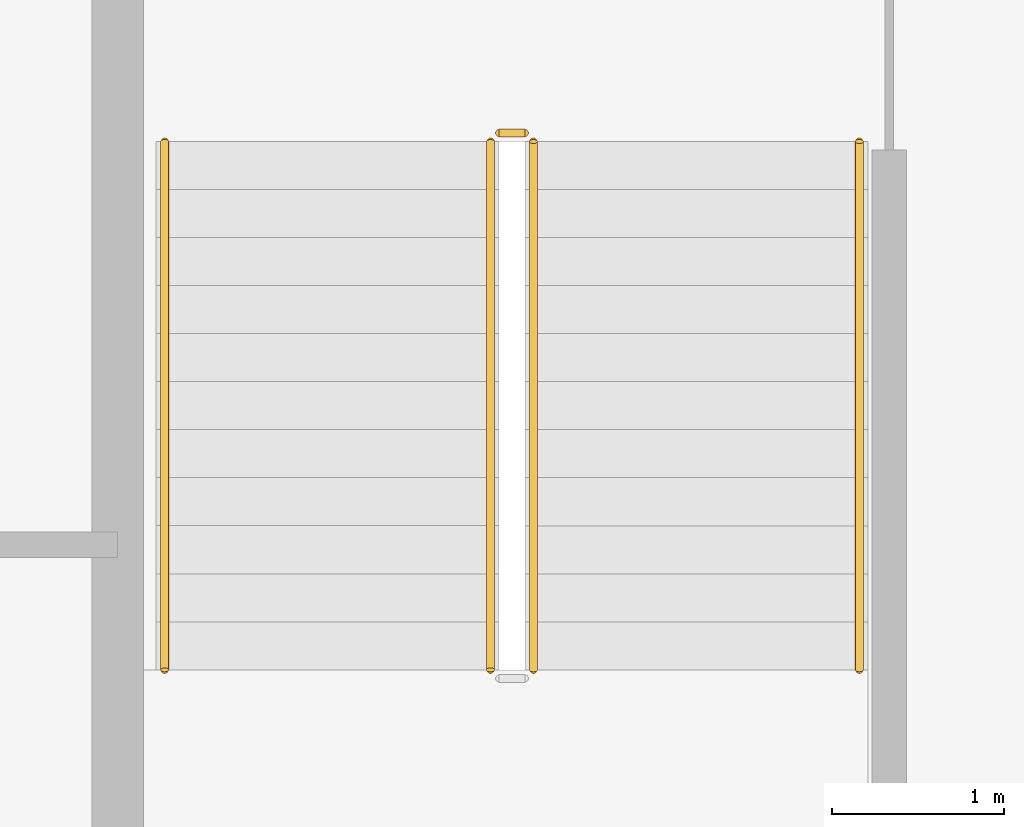
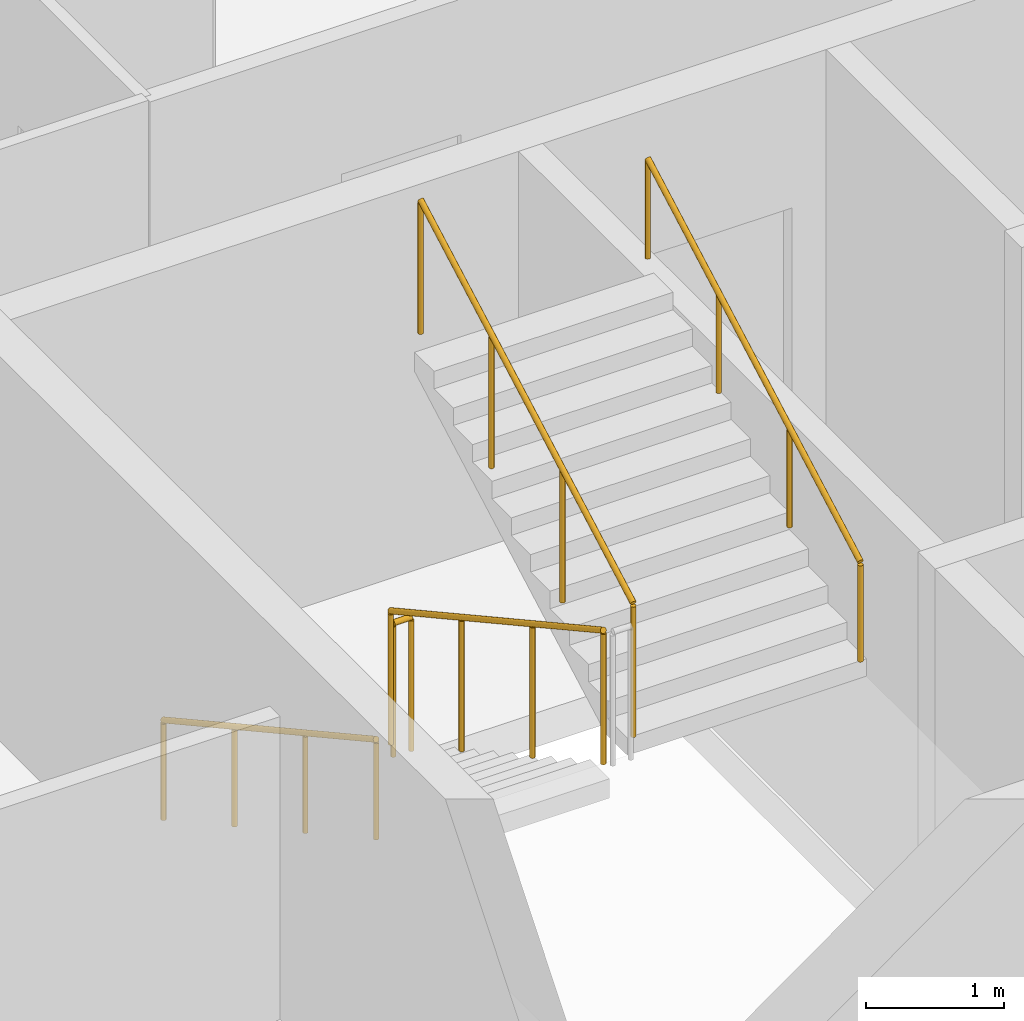
# One storey, part 11 of 15: 5 railings.
"""IFC4 building model written with IfcOpenShell, lengths in metres."""

from ifc_helpers import new_model, si_unit, direction, frame, origin, origin_2d, place, context, subcontext, project, spatial, circle, extrude, material, type_object, element, save


model = new_model("IFC4")

# Units and contexts
model_context = context("Model", 3, precision=1e-05, world=origin(), true_north=direction((0.0, 1.0)))
body_context = subcontext(model_context, "Body", "Model", "MODEL_VIEW")
ifc_project = project(units=[si_unit("LENGTHUNIT", "METRE"), si_unit("AREAUNIT", "SQUARE_METRE"), si_unit("VOLUMEUNIT", "CUBIC_METRE"), si_unit("PLANEANGLEUNIT", "RADIAN"), si_unit("MASSUNIT", "GRAM", prefix="KILO")], contexts=[model_context])

# Site, building, storey
site_placement = place(None, origin())
site = spatial("IfcSite", under=ifc_project, at=site_placement, CompositionType="ELEMENT")
building_placement = place(site_placement, origin())
building = spatial("IfcBuilding", under=site, at=building_placement, Name="Caravel Reach Hotel and Residences", CompositionType="ELEMENT")
storey_placement = place(building_placement, frame((0.0, 0.0, 252.699951171875)))
storey = spatial("IfcBuildingStorey", under=building, at=storey_placement, Name="L64", CompositionType="ELEMENT", Elevation=252.699951171875)

# Railings
ifc_material_1 = material(Name="Steel balustrade with glass infill", Category="steel")
railing_type_1 = type_object("IfcRailingType", Name="Guard 1200", PredefinedType="GUARDRAIL", material=ifc_material_1)
railing_1_placement = place(storey_placement, frame((20.175048828125, 29.35009765625, 0.154296875)))
element("IfcRailing", 1, at=railing_1_placement, inside=storey, type_object=railing_type_1, Name="L64 ST-A stair guard 1", PredefinedType="GUARDRAIL", context=body_context, shape_type="SweptSolid", body=[
    extrude(circle(Radius=0.02392578125, at=origin_2d()), frame((0.0, 0.0, 1.17578125), z_axis=(0.0, -0.876004717809, 0.482302534076), x_axis=(1.0, 0.0, 0.0)), (0.0, 0.0, 1.0), 3.51611328125),
    extrude(circle(Radius=0.02099609375, at=origin_2d()), origin(), (0.0, 0.0, 1.0), 1.15185546875),
    extrude(circle(Radius=0.02099609375, at=origin_2d()), frame((0.0, -1.026611328125, 0.565185546875)), (0.0, 0.0, 1.0), 1.15185546875),
    extrude(circle(Radius=0.02099609375, at=origin_2d()), frame((0.0, -2.053466796875, 1.130615234375)), (0.0, 0.0, 1.0), 1.15185546875),
    extrude(circle(Radius=0.02099609375, at=origin_2d()), frame((0.0, -3.080078125, 1.69580078125)), (0.0, 0.0, 1.0), 1.15185546875),
])
railing_2_placement = place(storey_placement, frame((20.425048828125, 26.27001953125, 2.004150390625)))
element("IfcRailing", 2, at=railing_2_placement, inside=storey, type_object=railing_type_1, Name="L64 ST-A stair guard 3", PredefinedType="GUARDRAIL", context=body_context, shape_type="SweptSolid", body=[
    extrude(circle(Radius=0.02392578125, at=origin_2d()), frame((0.0, 0.0, 1.17578125), z_axis=(0.0, 0.876004717809, 0.482302534076), x_axis=(-1.0, 0.0, 0.0)), (0.0, 0.0, 1.0), 3.51611328125),
    extrude(circle(Radius=0.02099609375, at=origin_2d()), origin(), (0.0, 0.0, 1.0), 1.15185546875),
    extrude(circle(Radius=0.02099609375, at=origin_2d()), frame((0.0, 1.026611328125, 0.565185546875)), (0.0, 0.0, 1.0), 1.15185546875),
    extrude(circle(Radius=0.02099609375, at=origin_2d()), frame((0.0, 2.053466796875, 1.130615234375)), (0.0, 0.0, 1.0), 1.15185546875),
    extrude(circle(Radius=0.02099609375, at=origin_2d()), frame((0.0, 3.080078125, 1.69580078125)), (0.0, 0.0, 1.0), 1.15185546875),
])
railing_3_placement = place(storey_placement, frame((20.22509765625, 29.39990234375, 0.0)))
element("IfcRailing", 3, at=railing_3_placement, inside=storey, type_object=railing_type_1, Name="L64 ST-A stair guard 4", PredefinedType="GUARDRAIL", context=body_context, shape_type="SweptSolid", body=[
    extrude(circle(Radius=0.02392578125, at=origin_2d()), frame((0.0, 0.0, 1.17578125), z_axis=(1.0, 0.0, 0.0), x_axis=(0.0, 1.0, 0.0)), (0.0, 0.0, 1.0), 0.14990234375),
    extrude(circle(Radius=0.02099609375, at=origin_2d()), origin(), (0.0, 0.0, 1.0), 1.15185546875),
    extrude(circle(Radius=0.02099609375, at=origin_2d()), frame((0.14990234375, 0.0, 0.0)), (0.0, 0.0, 1.0), 1.15185546875),
])
ifc_material_2 = material(Name="Stainless steel handrail", Category="steel")
railing_type_2 = type_object("IfcRailingType", Name="Handrail 900", PredefinedType="HANDRAIL", material=ifc_material_2)
railing_4_placement = place(storey_placement, frame((18.27490234375, 29.35009765625, 0.154296875)))
element("IfcRailing", 4, at=railing_4_placement, inside=storey, type_object=railing_type_2, Name="L64 ST-A stair handrail 1", PredefinedType="HANDRAIL", context=body_context, shape_type="SweptSolid", body=[
    extrude(circle(Radius=0.02392578125, at=origin_2d()), frame((0.0, 0.0, 0.8759765625), z_axis=(0.0, -0.876004717809, 0.482302534076), x_axis=(1.0, 0.0, 0.0)), (0.0, 0.0, 1.0), 3.51611328125),
    extrude(circle(Radius=0.02099609375, at=origin_2d()), origin(), (0.0, 0.0, 1.0), 0.851806640625),
    extrude(circle(Radius=0.02099609375, at=origin_2d()), frame((0.0, -1.026611328125, 0.565185546875)), (0.0, 0.0, 1.0), 0.851806640625),
    extrude(circle(Radius=0.02099609375, at=origin_2d()), frame((0.0, -2.053466796875, 1.130615234375)), (0.0, 0.0, 1.0), 0.851806640625),
    extrude(circle(Radius=0.02099609375, at=origin_2d()), frame((0.0, -3.080078125, 1.69580078125)), (0.0, 0.0, 1.0), 0.851806640625),
])
railing_5_placement = place(storey_placement, frame((22.324951171875, 26.27001953125, 2.004150390625)))
element("IfcRailing", 5, at=railing_5_placement, inside=storey, type_object=railing_type_2, Name="L64 ST-A stair handrail 2", PredefinedType="HANDRAIL", context=body_context, shape_type="SweptSolid", body=[
    extrude(circle(Radius=0.02392578125, at=origin_2d()), frame((0.0, 0.0, 0.8759765625), z_axis=(0.0, 0.876004717809, 0.482302534076), x_axis=(-1.0, 0.0, 0.0)), (0.0, 0.0, 1.0), 3.51611328125),
    extrude(circle(Radius=0.02099609375, at=origin_2d()), origin(), (0.0, 0.0, 1.0), 0.851806640625),
    extrude(circle(Radius=0.02099609375, at=origin_2d()), frame((0.0, 1.026611328125, 0.565185546875)), (0.0, 0.0, 1.0), 0.851806640625),
    extrude(circle(Radius=0.02099609375, at=origin_2d()), frame((0.0, 2.053466796875, 1.130615234375)), (0.0, 0.0, 1.0), 0.851806640625),
    extrude(circle(Radius=0.02099609375, at=origin_2d()), frame((0.0, 3.080078125, 1.69580078125)), (0.0, 0.0, 1.0), 0.851806640625),
])

save(model, "model.ifc")
